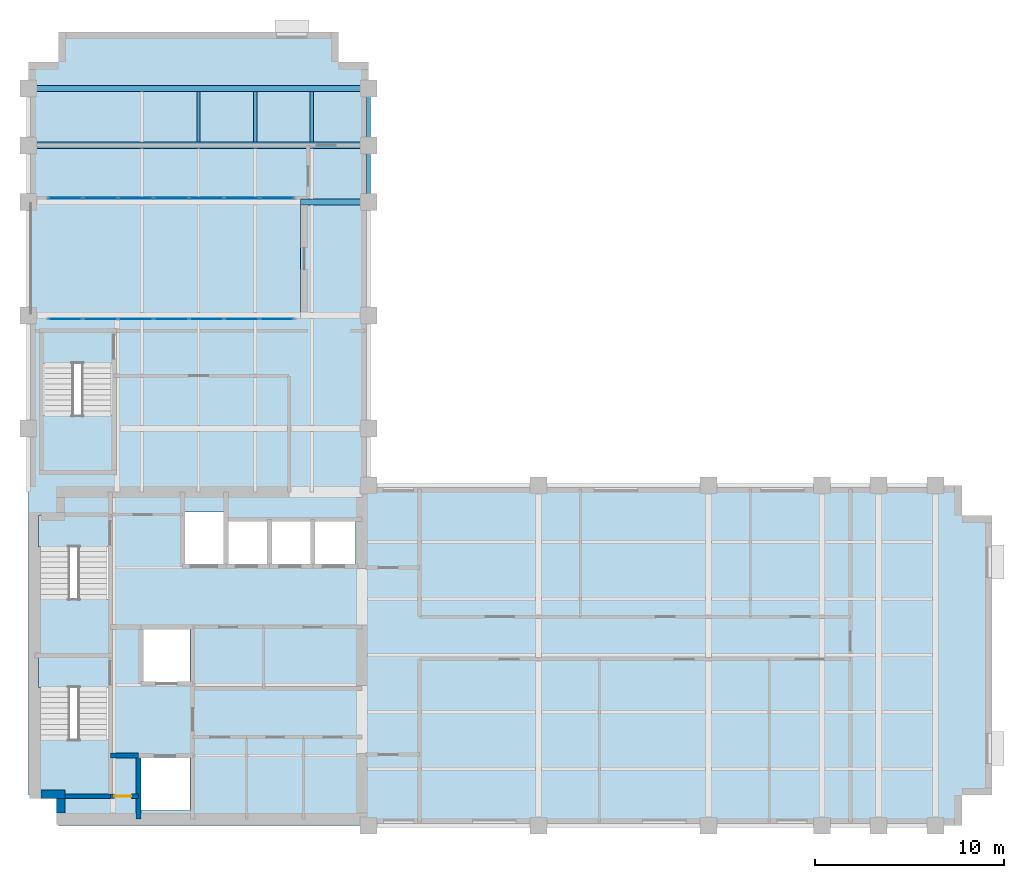
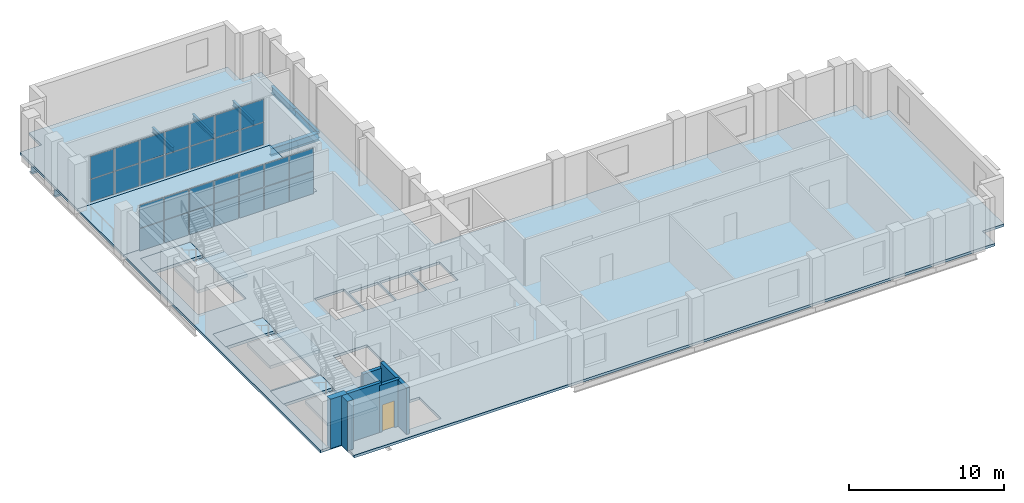
# One storey, part 7 of 11: 28 plates, 8 beams, 8 slabs, 6 walls, 1 door, 1 opening, 5 elements without a shape of their own.
"""IFC4 building model written with IfcOpenShell, lengths in metres."""

import ifcopenshell
import ifcopenshell.guid

model = None  # the IFC model being written
_history = None  # IfcOwnerHistory: only IFC2X3 demands one
_inside = {}  # id of a spatial element -> (the spatial element, [elements in it])
_under = {}  # id of a project, library or spatial element -> (it, [spatial elements below it])
_declared = {}  # id of a project -> (the project, [libraries it declares])
_typed = {}  # id of a type object -> (the type object, [elements of that type])
_made_of = {}  # id of a material, layer set ... -> (it, [elements and type objects made of it])


def new_model(schema):
    """Start an empty IFC model of exactly this schema.

    Asked for "IFC4X3", IfcOpenShell would pick the latest addendum, in which some entities
    have other attributes; the version numbers below select the first issue.
    IFC2X3 requires an IfcOwnerHistory on every rooted entity: one is made here for all.
    """
    global model, _history
    if schema == "IFC4X3":
        model = ifcopenshell.file(schema_version=(4, 3, 0, 0))
    else:
        model = ifcopenshell.file(schema=schema)
    _inside.clear()
    _under.clear()
    _declared.clear()
    _typed.clear()
    _made_of.clear()
    _history = None
    if model.schema == "IFC2X3":
        org = make("IfcOrganization", Name="unknown")
        user = make(
            "IfcPersonAndOrganization",
            ThePerson=make("IfcPerson", FamilyName="unknown"),
            TheOrganization=org,
        )
        app = make(
            "IfcApplication",
            ApplicationDeveloper=org,
            Version="unknown",
            ApplicationFullName="unknown",
            ApplicationIdentifier="unknown",
        )
        _history = make(
            "IfcOwnerHistory",
            OwningUser=user,
            OwningApplication=app,
            ChangeAction="ADDED",
            CreationDate=0,
        )
    return model


def make(cls, **values):
    """One entity of the class cls with the attributes given. An attribute that is None is left unset."""
    return model.create_entity(
        cls, **{name: value for name, value in values.items() if value is not None}
    )


def rooted(cls, **values):
    """An entity with a GlobalId (a new one), such as an element, a storey or a relation."""
    return make(cls, GlobalId=ifcopenshell.guid.new(), OwnerHistory=_history, **values)


def si_unit(unit_type, name, prefix=None):
    """IfcSIUnit, for example si_unit("LENGTHUNIT", "METRE", prefix="MILLI")."""
    return make("IfcSIUnit", UnitType=unit_type, Prefix=prefix, Name=name)


def assignment(units):
    """IfcUnitAssignment: the units of a project."""
    return None if units is None else make("IfcUnitAssignment", Units=units)


def point(xyz):
    """IfcCartesianPoint."""
    return None if xyz is None else make("IfcCartesianPoint", Coordinates=xyz)


def direction(xyz):
    """IfcDirection."""
    return None if xyz is None else make("IfcDirection", DirectionRatios=xyz)


def frame(location, z_axis=None, x_axis=None):
    """IfcAxis2Placement3D, a coordinate frame: its origin and axes. An axis left out is left unset."""
    return make(
        "IfcAxis2Placement3D",
        Location=point(location),
        Axis=direction(z_axis),
        RefDirection=direction(x_axis),
    )


def frame_2d(location, x_axis=None):
    """IfcAxis2Placement2D, a coordinate frame in the plane: its origin and x axis."""
    return make(
        "IfcAxis2Placement2D", Location=point(location), RefDirection=direction(x_axis)
    )


def origin():
    """The frame at (0, 0, 0) with its axes left unset."""
    return frame((0.0, 0.0, 0.0))


def origin_2d():
    """The frame at (0, 0) in the plane with its x axis left unset."""
    return frame_2d((0.0, 0.0))


def place(relative_to, where):
    """IfcLocalPlacement: puts the frame where relative to a parent placement (None: the world)."""
    return make(
        "IfcLocalPlacement", PlacementRelTo=relative_to, RelativePlacement=where
    )


def context(
    kind, dimensions, precision=None, world=None, true_north=None, identifier=None
):
    """IfcGeometricRepresentationContext, for example the 3D "Model" context."""
    return make(
        "IfcGeometricRepresentationContext",
        ContextIdentifier=identifier,
        ContextType=kind,
        CoordinateSpaceDimension=dimensions,
        Precision=precision,
        WorldCoordinateSystem=world,
        TrueNorth=true_north,
    )


def subcontext(parent, identifier, kind, view, scale=None):
    """IfcGeometricRepresentationSubContext, for example "Body" below "Model"."""
    return make(
        "IfcGeometricRepresentationSubContext",
        ContextIdentifier=identifier,
        ContextType=kind,
        ParentContext=parent,
        TargetScale=scale,
        TargetView=view,
    )


def project(units=None, contexts=None):
    """IfcProject with its units and contexts."""
    return rooted(
        "IfcProject",
        Name="project",
        RepresentationContexts=contexts,
        UnitsInContext=assignment(units),
    )


def spatial(cls, under=None, at=None, **own):
    """A site, building, storey or space (cls), placed at a placement, below another one or the project."""
    s = rooted(cls, ObjectPlacement=at, **own)
    if under is not None:
        _under.setdefault(under.id(), (under, []))[1].append(s)
    return s


def polyline(points):
    """IfcPolyline through the points."""
    return make("IfcPolyline", Points=[point(p) for p in points])


def profile(cls, at=None, kind="AREA", **sizes):
    """A parametric profile (cls). Its sizes go by their IFC names, for example OverallWidth=200.0."""
    return make(cls, ProfileType=kind, Position=at, **sizes)


def rectangle(**sizes):
    """IfcRectangleProfileDef."""
    return profile("IfcRectangleProfileDef", **sizes)


def i_section(**sizes):
    """IfcIShapeProfileDef."""
    return profile("IfcIShapeProfileDef", **sizes)


def outline(outer, holes=None, kind="AREA"):
    """IfcArbitraryClosedProfileDef: a profile drawn as a closed curve; with holes, ...WithVoids."""
    if holes is None:
        return make("IfcArbitraryClosedProfileDef", ProfileType=kind, OuterCurve=outer)
    return make(
        "IfcArbitraryProfileDefWithVoids",
        ProfileType=kind,
        OuterCurve=outer,
        InnerCurves=holes,
    )


def extrude(swept, where, along, depth):
    """IfcExtrudedAreaSolid: the profile swept, set in the frame where, extruded along a direction by depth."""
    return make(
        "IfcExtrudedAreaSolid",
        SweptArea=swept,
        Position=where,
        ExtrudedDirection=direction(along),
        Depth=depth,
    )


def shape(context_of_items, identifier, shape_type, items):
    """IfcShapeRepresentation: the items that make up one representation, for example the "Body"."""
    return make(
        "IfcShapeRepresentation",
        ContextOfItems=context_of_items,
        RepresentationIdentifier=identifier,
        RepresentationType=shape_type,
        Items=items,
    )


def material(Name=None, Category=None):
    """IfcMaterial."""
    return make("IfcMaterial", Name=Name, Category=Category)


def layer(
    of_material, thickness, ventilated=None, Name=None, Category=None, Priority=None
):
    """IfcMaterialLayer: one layer of a wall or slab, of a material (None: an air gap)."""
    return make(
        "IfcMaterialLayer",
        Material=of_material,
        LayerThickness=thickness,
        IsVentilated=ventilated,
        Name=Name,
        Category=Category,
        Priority=Priority,
    )


def layer_set(layers, Name=None):
    """IfcMaterialLayerSet."""
    return make("IfcMaterialLayerSet", MaterialLayers=layers, LayerSetName=Name)


def material_profile(
    of_material, cross_section, Name=None, Category=None, Priority=None
):
    """IfcMaterialProfile: a cross section and its material."""
    return make(
        "IfcMaterialProfile",
        Name=Name,
        Material=of_material,
        Profile=cross_section,
        Priority=Priority,
        Category=Category,
    )


def profile_set(profiles, Name=None, composite=None):
    """IfcMaterialProfileSet."""
    return make(
        "IfcMaterialProfileSet",
        Name=Name,
        MaterialProfiles=profiles,
        CompositeProfile=composite,
    )


def made_of(thing, what):
    """Note that an element or type object is made of a material, layer set ...; save() writes the relation."""
    if what is not None:
        _made_of.setdefault(what.id(), (what, []))[1].append(thing)
    return thing


def type_object(cls, material=None, **own):
    """A type object (cls), such as IfcWallType, which elements share."""
    return made_of(rooted(cls, **own), material)


def element(
    cls,
    number,
    at=None,
    inside=None,
    cuts=None,
    type_object=None,
    material=None,
    context=None,
    identifier="Body",
    shape_type=None,
    held_by="IfcProductDefinitionShape",
    body=None,
    shapes=None,
    **own,
):
    """One element of the class cls, such as IfcWall. Its Tag is "e" and its number.

    at: its placement. inside: the storey or other place that contains it. cuts: it is an
    opening in that element (IfcRelVoidsElement). A single representation is given by context,
    identifier, shape_type and body (its items); several are given by shapes. held_by: the class
    of the entity that holds the representations. save() writes the other relations.
    """
    e = rooted(cls, Tag="e%d" % number, ObjectPlacement=at, **own)
    if body is not None:
        shapes = [shape(context, identifier, shape_type, body)]
    if shapes is not None:
        e.Representation = make(held_by, Representations=shapes)
    if inside is not None:
        _inside.setdefault(inside.id(), (inside, []))[1].append(e)
    if cuts is not None:
        rooted(
            "IfcRelVoidsElement", RelatingBuildingElement=cuts, RelatedOpeningElement=e
        )
    if type_object is not None:
        _typed.setdefault(type_object.id(), (type_object, []))[1].append(e)
    return made_of(e, material)


def fill(opening, filler):
    """IfcRelFillsElement: the door or window that sits in an opening."""
    return rooted(
        "IfcRelFillsElement",
        RelatingOpeningElement=opening,
        RelatedBuildingElement=filler,
    )


def aggregate(whole, parts):
    """IfcRelAggregates: a whole, such as a stair, and the parts it consists of."""
    return rooted("IfcRelAggregates", RelatingObject=whole, RelatedObjects=parts)


def save(model, path):
    """Write the relations noted so far, then the file.

    IfcRelAggregates (storeys below a building ...), IfcRelContainedInSpatialStructure (elements
    in a storey), IfcRelDefinesByType, IfcRelAssociatesMaterial and IfcRelDeclares: one each for
    every whole, place, type object, material and project.
    """
    for whole, parts in _under.values():
        aggregate(whole, parts)
    for where, things in _inside.values():
        rooted(
            "IfcRelContainedInSpatialStructure",
            RelatedElements=things,
            RelatingStructure=where,
        )
    for kind, things in _typed.values():
        rooted("IfcRelDefinesByType", RelatedObjects=things, RelatingType=kind)
    for what, things in _made_of.values():
        rooted("IfcRelAssociatesMaterial", RelatedObjects=things, RelatingMaterial=what)
    for by, libraries in _declared.values():
        rooted("IfcRelDeclares", RelatingContext=by, RelatedDefinitions=libraries)
    model.write(path)


model = new_model("IFC4")

# Units and contexts
model_context = context("Model", 3, precision=1e-05, world=origin(), true_north=direction((0.0, 1.0)))
body_context = subcontext(model_context, "Body", "Model", "MODEL_VIEW")
ifc_project = project(units=[si_unit("LENGTHUNIT", "METRE"), si_unit("AREAUNIT", "SQUARE_METRE"), si_unit("VOLUMEUNIT", "CUBIC_METRE"), si_unit("PLANEANGLEUNIT", "RADIAN"), si_unit("MASSUNIT", "GRAM", prefix="KILO")], contexts=[model_context])

# Site, building, storey
site_placement = place(None, origin())
site = spatial("IfcSite", under=ifc_project, at=site_placement, CompositionType="ELEMENT")
building_placement = place(site_placement, origin())
building = spatial("IfcBuilding", under=site, at=building_placement, Name="Mawjdan Bourse Tower", CompositionType="ELEMENT")
storey_placement = place(building_placement, frame((0.0, 0.0, 191.699951171875)))
storey = spatial("IfcBuildingStorey", under=building, at=storey_placement, Name="L46", CompositionType="ELEMENT", Elevation=191.699951171875)

# Beams
ifc_material_1 = material(Name="Structural Steel S355", Category="steel")
ifc_material_profile_1 = material_profile(ifc_material_1, i_section(OverallWidth=0.324951171875, OverallDepth=0.616943359375, WebThickness=0.013916015625, FlangeThickness=0.021484375, FilletRadius=0.017333984375, at=origin_2d()), Name="W24X117")
ifc_profile_set_1 = profile_set([ifc_material_profile_1], Name="Structural Steel S355")
beam_type_1 = type_object("IfcBeamType", Name="GRD-W24X117", PredefinedType="BEAM", material=ifc_profile_set_1)
beam_placement = place(storey_placement, frame((20.39990234375, 36.0, -0.508544921875), z_axis=(1.0, 0.0, 0.0), x_axis=(0.0, 1.0, 0.0)))
element("IfcBeam", 1, at=beam_placement, inside=storey, type_object=beam_type_1, Name="L46 North Wing Clear-Span Girder 051", PredefinedType="BEAM", context=body_context, shape_type="SweptSolid", body=[
    extrude(i_section(OverallWidth=0.324951171875, OverallDepth=0.616943359375, WebThickness=0.013916015625, FlangeThickness=0.021484375, FilletRadius=0.017333984375, at=origin_2d()), origin(), (0.0, 0.0, 1.0), 3.60009765625),
])
for number, where, z_axis, x_axis, name in (
    (2, (6.0, 39.0, -0.508544921875), (1.0, 0.0, 0.0), (0.0, 1.0, 0.0), "L46 North Wing Clear-Span Girder 052"),
    (3, (6.0, 42.0, -0.508544921875), (1.0, 0.0, 0.0), (0.0, 1.0, 0.0), "L46 North Wing Clear-Span Girder 053"),
):
    element("IfcBeam", number, at=place(storey_placement, frame(where, z_axis=z_axis, x_axis=x_axis)), inside=storey, type_object=beam_type_1, Name=name, PredefinedType="BEAM", context=body_context, shape_type="SweptSolid", body=[
        extrude(i_section(OverallWidth=0.324951171875, OverallDepth=0.616943359375, WebThickness=0.013916015625, FlangeThickness=0.021484375, FilletRadius=0.017333984375, at=origin_2d()), origin(), (0.0, 0.0, 1.0), 18.0),
    ])
ifc_material_profile_2 = material_profile(ifc_material_1, i_section(OverallWidth=0.177978515625, OverallDepth=0.406982421875, WebThickness=0.0078125, FlangeThickness=0.0126953125, FilletRadius=0.01025390625, at=origin_2d()), Name="W16X40")
ifc_profile_set_2 = profile_set([ifc_material_profile_2], Name="Structural Steel S355")
beam_type_2 = type_object("IfcBeamType", Name="JST-W16X40", PredefinedType="JOIST", material=ifc_profile_set_2)
for number, where, z_axis, x_axis, name in (
    (4, (15.0, 39.160400390625, -0.403564453125), (0.0, 1.0, 0.0), (-1.0, 0.0, 0.0), "L46 North Wing Composite Joist 073"),
    (5, (18.0, 39.160400390625, -0.403564453125), (0.0, 1.0, 0.0), (-1.0, 0.0, 0.0), "L46 North Wing Composite Joist 078"),
    (6, (21.0, 39.160400390625, -0.403564453125), (0.0, 1.0, 0.0), (-1.0, 0.0, 0.0), "L46 North Wing Composite Joist 083"),
):
    element("IfcBeam", number, at=place(storey_placement, frame(where, z_axis=z_axis, x_axis=x_axis)), inside=storey, type_object=beam_type_2, Name=name, PredefinedType="JOIST", context=body_context, shape_type="SweptSolid", body=[
        extrude(i_section(OverallWidth=0.177978515625, OverallDepth=0.406982421875, WebThickness=0.0078125, FlangeThickness=0.0126953125, FilletRadius=0.01025390625, at=origin_2d()), origin(), (0.0, 0.0, 1.0), 2.67919921875),
    ])
ifc_material_profile_3 = material_profile(ifc_material_1, i_section(OverallWidth=0.2119140625, OverallDepth=0.5439453125, WebThickness=0.01318359375, FlangeThickness=0.021240234375, FilletRadius=0.01708984375, at=origin_2d()), Name="W21X83")
ifc_profile_set_3 = profile_set([ifc_material_profile_3], Name="Structural Steel S355")
beam_type_3 = type_object("IfcBeamType", Name="SPN-W21X83", PredefinedType="SPANDREL", material=ifc_profile_set_3)
for number, where, z_axis, x_axis, name in (
    (7, (24.0, 36.0, -0.471923828125), (0.0, 1.0, 0.0), (-1.0, 0.0, 0.0), "L46 North Wing Spandrel 062"),
    (8, (24.0, 39.0, -0.471923828125), (0.0, 1.0, 0.0), (-1.0, 0.0, 0.0), "L46 North Wing Spandrel 063"),
):
    element("IfcBeam", number, at=place(storey_placement, frame(where, z_axis=z_axis, x_axis=x_axis)), inside=storey, type_object=beam_type_3, Name=name, PredefinedType="SPANDREL", context=body_context, shape_type="SweptSolid", body=[
        extrude(i_section(OverallWidth=0.2119140625, OverallDepth=0.5439453125, WebThickness=0.01318359375, FlangeThickness=0.021240234375, FilletRadius=0.01708984375, at=origin_2d()), origin(), (0.0, 0.0, 1.0), 3.0),
    ])

# Curtain wall, plates
ifc_material_2 = material(Name="Thermally Broken Aluminium and Solar Glass", Category="aluminium")
ifc_layer_1 = layer(ifc_material_2, 0.219970703125)
ifc_layer_set_1 = layer_set([ifc_layer_1], Name="Thermally Broken Aluminium and Solar Glass")
curtain_wall_type = type_object("IfcCurtainWallType", Name="CW-POR", PredefinedType="USERDEFINED", material=ifc_layer_set_1)
curtain_wall_1_placement = place(storey_placement, origin())
curtain_wall_1 = element("IfcCurtainWall", 9, at=curtain_wall_1_placement, inside=storey, type_object=curtain_wall_type, Name="L46 North Void Portal Glazed Cheek 14", ObjectType="VOID PORTAL CURTAIN WALL", PredefinedType="USERDEFINED")
ifc_material_3 = material(Name="Wind-Rated Portal Clear Glass", Category="glass")
ifc_layer_2 = layer(ifc_material_3, 0.0400390625)
ifc_layer_set_2 = layer_set([ifc_layer_2], Name="Wind-Rated Portal Clear Glass")
plate_type = type_object("IfcPlateType", Name="PNL-CW-POR", PredefinedType="CURTAIN_PANEL", material=ifc_layer_set_2)
plate_1_placement = place(storey_placement, frame((7.953125, 36.18994140625, 0.054931640625), z_axis=(0.0, 0.0, 1.0), x_axis=(1.0, 0.0, 0.0)))
plate_1 = element("IfcPlate", 10, at=plate_1_placement, type_object=plate_type, Name="CW-POR-L46-POR-N14 panel 1.1", PredefinedType="CURTAIN_PANEL", context=body_context, shape_type="SweptSolid", body=[
    extrude(rectangle(XDim=1.766357421875, YDim=0.0400390625, at=origin_2d()), origin(), (0.0, 0.0, 1.0), 1.767578125),
])
plate_2_placement = place(storey_placement, frame((7.953125, 36.18994140625, 1.87744140625), z_axis=(0.0, 0.0, 1.0), x_axis=(1.0, 0.0, 0.0)))
plate_2 = element("IfcPlate", 11, at=plate_2_placement, type_object=plate_type, Name="CW-POR-L46-POR-N14 panel 1.2", PredefinedType="CURTAIN_PANEL", context=body_context, shape_type="SweptSolid", body=[
    extrude(rectangle(XDim=1.766357421875, YDim=0.0400390625, at=origin_2d()), origin(), (0.0, 0.0, 1.0), 1.767578125),
])
plate_3_placement = place(storey_placement, frame((9.80712890625, 36.18994140625, 0.054931640625), z_axis=(0.0, 0.0, 1.0), x_axis=(1.0, 0.0, 0.0)))
plate_3 = element("IfcPlate", 12, at=plate_3_placement, type_object=plate_type, Name="CW-POR-L46-POR-N14 panel 2.1", PredefinedType="CURTAIN_PANEL", context=body_context, shape_type="SweptSolid", body=[
    extrude(rectangle(XDim=1.801513671875, YDim=0.0400390625, at=origin_2d()), origin(), (0.0, 0.0, 1.0), 1.767578125),
])
plate_4_placement = place(storey_placement, frame((9.80712890625, 36.18994140625, 1.87744140625), z_axis=(0.0, 0.0, 1.0), x_axis=(1.0, 0.0, 0.0)))
plate_4 = element("IfcPlate", 13, at=plate_4_placement, type_object=plate_type, Name="CW-POR-L46-POR-N14 panel 2.2", PredefinedType="CURTAIN_PANEL", context=body_context, shape_type="SweptSolid", body=[
    extrude(rectangle(XDim=1.801513671875, YDim=0.0400390625, at=origin_2d()), origin(), (0.0, 0.0, 1.0), 1.767578125),
])
plate_5_placement = place(storey_placement, frame((11.678466796875, 36.18994140625, 0.054931640625), z_axis=(0.0, 0.0, 1.0), x_axis=(1.0, 0.0, 0.0)))
plate_5 = element("IfcPlate", 14, at=plate_5_placement, type_object=plate_type, Name="CW-POR-L46-POR-N14 panel 3.1", PredefinedType="CURTAIN_PANEL", context=body_context, shape_type="SweptSolid", body=[
    extrude(rectangle(XDim=1.801513671875, YDim=0.0400390625, at=origin_2d()), origin(), (0.0, 0.0, 1.0), 1.767578125),
])
plate_6_placement = place(storey_placement, frame((11.678466796875, 36.18994140625, 1.87744140625), z_axis=(0.0, 0.0, 1.0), x_axis=(1.0, 0.0, 0.0)))
plate_6 = element("IfcPlate", 15, at=plate_6_placement, type_object=plate_type, Name="CW-POR-L46-POR-N14 panel 3.2", PredefinedType="CURTAIN_PANEL", context=body_context, shape_type="SweptSolid", body=[
    extrude(rectangle(XDim=1.801513671875, YDim=0.0400390625, at=origin_2d()), origin(), (0.0, 0.0, 1.0), 1.767578125),
])
plate_7_placement = place(storey_placement, frame((13.550048828125, 36.18994140625, 0.054931640625), z_axis=(0.0, 0.0, 1.0), x_axis=(1.0, 0.0, 0.0)))
plate_7 = element("IfcPlate", 16, at=plate_7_placement, type_object=plate_type, Name="CW-POR-L46-POR-N14 panel 4.1", PredefinedType="CURTAIN_PANEL", context=body_context, shape_type="SweptSolid", body=[
    extrude(rectangle(XDim=1.801513671875, YDim=0.0400390625, at=origin_2d()), origin(), (0.0, 0.0, 1.0), 1.767578125),
])
plate_8_placement = place(storey_placement, frame((13.550048828125, 36.18994140625, 1.87744140625), z_axis=(0.0, 0.0, 1.0), x_axis=(1.0, 0.0, 0.0)))
plate_8 = element("IfcPlate", 17, at=plate_8_placement, type_object=plate_type, Name="CW-POR-L46-POR-N14 panel 4.2", PredefinedType="CURTAIN_PANEL", context=body_context, shape_type="SweptSolid", body=[
    extrude(rectangle(XDim=1.801513671875, YDim=0.0400390625, at=origin_2d()), origin(), (0.0, 0.0, 1.0), 1.767578125),
])
plate_9_placement = place(storey_placement, frame((15.42138671875, 36.18994140625, 0.054931640625), z_axis=(0.0, 0.0, 1.0), x_axis=(1.0, 0.0, 0.0)))
plate_9 = element("IfcPlate", 18, at=plate_9_placement, type_object=plate_type, Name="CW-POR-L46-POR-N14 panel 5.1", PredefinedType="CURTAIN_PANEL", context=body_context, shape_type="SweptSolid", body=[
    extrude(rectangle(XDim=1.801513671875, YDim=0.0400390625, at=origin_2d()), origin(), (0.0, 0.0, 1.0), 1.767578125),
])
plate_10_placement = place(storey_placement, frame((15.42138671875, 36.18994140625, 1.87744140625), z_axis=(0.0, 0.0, 1.0), x_axis=(1.0, 0.0, 0.0)))
plate_10 = element("IfcPlate", 19, at=plate_10_placement, type_object=plate_type, Name="CW-POR-L46-POR-N14 panel 5.2", PredefinedType="CURTAIN_PANEL", context=body_context, shape_type="SweptSolid", body=[
    extrude(rectangle(XDim=1.801513671875, YDim=0.0400390625, at=origin_2d()), origin(), (0.0, 0.0, 1.0), 1.767578125),
])
plate_11_placement = place(storey_placement, frame((17.29296875, 36.18994140625, 0.054931640625), z_axis=(0.0, 0.0, 1.0), x_axis=(1.0, 0.0, 0.0)))
plate_11 = element("IfcPlate", 20, at=plate_11_placement, type_object=plate_type, Name="CW-POR-L46-POR-N14 panel 6.1", PredefinedType="CURTAIN_PANEL", context=body_context, shape_type="SweptSolid", body=[
    extrude(rectangle(XDim=1.801513671875, YDim=0.0400390625, at=origin_2d()), origin(), (0.0, 0.0, 1.0), 1.767578125),
])
plate_12_placement = place(storey_placement, frame((17.29296875, 36.18994140625, 1.87744140625), z_axis=(0.0, 0.0, 1.0), x_axis=(1.0, 0.0, 0.0)))
plate_12 = element("IfcPlate", 21, at=plate_12_placement, type_object=plate_type, Name="CW-POR-L46-POR-N14 panel 6.2", PredefinedType="CURTAIN_PANEL", context=body_context, shape_type="SweptSolid", body=[
    extrude(rectangle(XDim=1.801513671875, YDim=0.0400390625, at=origin_2d()), origin(), (0.0, 0.0, 1.0), 1.767578125),
])
plate_13_placement = place(storey_placement, frame((19.146728515625, 36.18994140625, 0.054931640625), z_axis=(0.0, 0.0, 1.0), x_axis=(1.0, 0.0, 0.0)))
plate_13 = element("IfcPlate", 22, at=plate_13_placement, type_object=plate_type, Name="CW-POR-L46-POR-N14 panel 7.1", PredefinedType="CURTAIN_PANEL", context=body_context, shape_type="SweptSolid", body=[
    extrude(rectangle(XDim=1.766357421875, YDim=0.0400390625, at=origin_2d()), origin(), (0.0, 0.0, 1.0), 1.767578125),
])
plate_14_placement = place(storey_placement, frame((19.146728515625, 36.18994140625, 1.87744140625), z_axis=(0.0, 0.0, 1.0), x_axis=(1.0, 0.0, 0.0)))
plate_14 = element("IfcPlate", 23, at=plate_14_placement, type_object=plate_type, Name="CW-POR-L46-POR-N14 panel 7.2", PredefinedType="CURTAIN_PANEL", context=body_context, shape_type="SweptSolid", body=[
    extrude(rectangle(XDim=1.766357421875, YDim=0.0400390625, at=origin_2d()), origin(), (0.0, 0.0, 1.0), 1.767578125),
])
aggregate(curtain_wall_1, [plate_1, plate_2, plate_3, plate_4, plate_5, plate_6, plate_7, plate_8, plate_9, plate_10, plate_11, plate_12, plate_13, plate_14])

curtain_wall_2_placement = place(storey_placement, origin())
curtain_wall_2 = element("IfcCurtainWall", 24, at=curtain_wall_2_placement, inside=storey, type_object=curtain_wall_type, Name="L46 North Void Portal Glazed Cheek 16", ObjectType="VOID PORTAL CURTAIN WALL", PredefinedType="USERDEFINED")
plate_15_placement = place(storey_placement, frame((19.146728515625, 29.81005859375, 0.054931640625), z_axis=(0.0, 0.0, 1.0), x_axis=(-1.0, 0.0, 0.0)))
plate_15 = element("IfcPlate", 25, at=plate_15_placement, type_object=plate_type, Name="CW-POR-L46-POR-N16 panel 1.1", PredefinedType="CURTAIN_PANEL", context=body_context, shape_type="SweptSolid", body=[
    extrude(rectangle(XDim=1.766357421875, YDim=0.0400390625, at=origin_2d()), origin(), (0.0, 0.0, 1.0), 1.767578125),
])
plate_16_placement = place(storey_placement, frame((19.146728515625, 29.81005859375, 1.87744140625), z_axis=(0.0, 0.0, 1.0), x_axis=(-1.0, 0.0, 0.0)))
plate_16 = element("IfcPlate", 26, at=plate_16_placement, type_object=plate_type, Name="CW-POR-L46-POR-N16 panel 1.2", PredefinedType="CURTAIN_PANEL", context=body_context, shape_type="SweptSolid", body=[
    extrude(rectangle(XDim=1.766357421875, YDim=0.0400390625, at=origin_2d()), origin(), (0.0, 0.0, 1.0), 1.767578125),
])
plate_17_placement = place(storey_placement, frame((17.29296875, 29.81005859375, 0.054931640625), z_axis=(0.0, 0.0, 1.0), x_axis=(-1.0, 0.0, 0.0)))
plate_17 = element("IfcPlate", 27, at=plate_17_placement, type_object=plate_type, Name="CW-POR-L46-POR-N16 panel 2.1", PredefinedType="CURTAIN_PANEL", context=body_context, shape_type="SweptSolid", body=[
    extrude(rectangle(XDim=1.801513671875, YDim=0.0400390625, at=origin_2d()), origin(), (0.0, 0.0, 1.0), 1.767578125),
])
plate_18_placement = place(storey_placement, frame((17.29296875, 29.81005859375, 1.87744140625), z_axis=(0.0, 0.0, 1.0), x_axis=(-1.0, 0.0, 0.0)))
plate_18 = element("IfcPlate", 28, at=plate_18_placement, type_object=plate_type, Name="CW-POR-L46-POR-N16 panel 2.2", PredefinedType="CURTAIN_PANEL", context=body_context, shape_type="SweptSolid", body=[
    extrude(rectangle(XDim=1.801513671875, YDim=0.0400390625, at=origin_2d()), origin(), (0.0, 0.0, 1.0), 1.767578125),
])
plate_19_placement = place(storey_placement, frame((15.42138671875, 29.81005859375, 0.054931640625), z_axis=(0.0, 0.0, 1.0), x_axis=(-1.0, 0.0, 0.0)))
plate_19 = element("IfcPlate", 29, at=plate_19_placement, type_object=plate_type, Name="CW-POR-L46-POR-N16 panel 3.1", PredefinedType="CURTAIN_PANEL", context=body_context, shape_type="SweptSolid", body=[
    extrude(rectangle(XDim=1.801513671875, YDim=0.0400390625, at=origin_2d()), origin(), (0.0, 0.0, 1.0), 1.767578125),
])
plate_20_placement = place(storey_placement, frame((15.42138671875, 29.81005859375, 1.87744140625), z_axis=(0.0, 0.0, 1.0), x_axis=(-1.0, 0.0, 0.0)))
plate_20 = element("IfcPlate", 30, at=plate_20_placement, type_object=plate_type, Name="CW-POR-L46-POR-N16 panel 3.2", PredefinedType="CURTAIN_PANEL", context=body_context, shape_type="SweptSolid", body=[
    extrude(rectangle(XDim=1.801513671875, YDim=0.0400390625, at=origin_2d()), origin(), (0.0, 0.0, 1.0), 1.767578125),
])
plate_21_placement = place(storey_placement, frame((13.550048828125, 29.81005859375, 0.054931640625), z_axis=(0.0, 0.0, 1.0), x_axis=(-1.0, 0.0, 0.0)))
plate_21 = element("IfcPlate", 31, at=plate_21_placement, type_object=plate_type, Name="CW-POR-L46-POR-N16 panel 4.1", PredefinedType="CURTAIN_PANEL", context=body_context, shape_type="SweptSolid", body=[
    extrude(rectangle(XDim=1.801513671875, YDim=0.0400390625, at=origin_2d()), origin(), (0.0, 0.0, 1.0), 1.767578125),
])
plate_22_placement = place(storey_placement, frame((13.550048828125, 29.81005859375, 1.87744140625), z_axis=(0.0, 0.0, 1.0), x_axis=(-1.0, 0.0, 0.0)))
plate_22 = element("IfcPlate", 32, at=plate_22_placement, type_object=plate_type, Name="CW-POR-L46-POR-N16 panel 4.2", PredefinedType="CURTAIN_PANEL", context=body_context, shape_type="SweptSolid", body=[
    extrude(rectangle(XDim=1.801513671875, YDim=0.0400390625, at=origin_2d()), origin(), (0.0, 0.0, 1.0), 1.767578125),
])
plate_23_placement = place(storey_placement, frame((11.678466796875, 29.81005859375, 0.054931640625), z_axis=(0.0, 0.0, 1.0), x_axis=(-1.0, 0.0, 0.0)))
plate_23 = element("IfcPlate", 33, at=plate_23_placement, type_object=plate_type, Name="CW-POR-L46-POR-N16 panel 5.1", PredefinedType="CURTAIN_PANEL", context=body_context, shape_type="SweptSolid", body=[
    extrude(rectangle(XDim=1.801513671875, YDim=0.0400390625, at=origin_2d()), origin(), (0.0, 0.0, 1.0), 1.767578125),
])
plate_24_placement = place(storey_placement, frame((11.678466796875, 29.81005859375, 1.87744140625), z_axis=(0.0, 0.0, 1.0), x_axis=(-1.0, 0.0, 0.0)))
plate_24 = element("IfcPlate", 34, at=plate_24_placement, type_object=plate_type, Name="CW-POR-L46-POR-N16 panel 5.2", PredefinedType="CURTAIN_PANEL", context=body_context, shape_type="SweptSolid", body=[
    extrude(rectangle(XDim=1.801513671875, YDim=0.0400390625, at=origin_2d()), origin(), (0.0, 0.0, 1.0), 1.767578125),
])
plate_25_placement = place(storey_placement, frame((9.80712890625, 29.81005859375, 0.054931640625), z_axis=(0.0, 0.0, 1.0), x_axis=(-1.0, 0.0, 0.0)))
plate_25 = element("IfcPlate", 35, at=plate_25_placement, type_object=plate_type, Name="CW-POR-L46-POR-N16 panel 6.1", PredefinedType="CURTAIN_PANEL", context=body_context, shape_type="SweptSolid", body=[
    extrude(rectangle(XDim=1.801513671875, YDim=0.0400390625, at=origin_2d()), origin(), (0.0, 0.0, 1.0), 1.767578125),
])
plate_26_placement = place(storey_placement, frame((9.80712890625, 29.81005859375, 1.87744140625), z_axis=(0.0, 0.0, 1.0), x_axis=(-1.0, 0.0, 0.0)))
plate_26 = element("IfcPlate", 36, at=plate_26_placement, type_object=plate_type, Name="CW-POR-L46-POR-N16 panel 6.2", PredefinedType="CURTAIN_PANEL", context=body_context, shape_type="SweptSolid", body=[
    extrude(rectangle(XDim=1.801513671875, YDim=0.0400390625, at=origin_2d()), origin(), (0.0, 0.0, 1.0), 1.767578125),
])
plate_27_placement = place(storey_placement, frame((7.953125, 29.81005859375, 0.054931640625), z_axis=(0.0, 0.0, 1.0), x_axis=(-1.0, 0.0, 0.0)))
plate_27 = element("IfcPlate", 37, at=plate_27_placement, type_object=plate_type, Name="CW-POR-L46-POR-N16 panel 7.1", PredefinedType="CURTAIN_PANEL", context=body_context, shape_type="SweptSolid", body=[
    extrude(rectangle(XDim=1.766357421875, YDim=0.0400390625, at=origin_2d()), origin(), (0.0, 0.0, 1.0), 1.767578125),
])
plate_28_placement = place(storey_placement, frame((7.953125, 29.81005859375, 1.87744140625), z_axis=(0.0, 0.0, 1.0), x_axis=(-1.0, 0.0, 0.0)))
plate_28 = element("IfcPlate", 38, at=plate_28_placement, type_object=plate_type, Name="CW-POR-L46-POR-N16 panel 7.2", PredefinedType="CURTAIN_PANEL", context=body_context, shape_type="SweptSolid", body=[
    extrude(rectangle(XDim=1.766357421875, YDim=0.0400390625, at=origin_2d()), origin(), (0.0, 0.0, 1.0), 1.767578125),
])
aggregate(curtain_wall_2, [plate_15, plate_16, plate_17, plate_18, plate_19, plate_20, plate_21, plate_22, plate_23, plate_24, plate_25, plate_26, plate_27, plate_28])

# Stair, slabs
ifc_material_4 = material(Name="Concrete C50/60", Category="concrete")
stair_type = type_object("IfcStairType", Name="STR-CORE-1500", PredefinedType="HALF_TURN_STAIR", material=ifc_material_4)
stair_1_placement = place(storey_placement, origin())
stair_1 = element("IfcStair", 39, at=stair_1_placement, inside=storey, type_object=stair_type, Name="L46 Exit Stair 1 (Core South-West)", PredefinedType="HALF_TURN_STAIR")
ifc_layer_3 = layer(ifc_material_4, 0.22998046875)
ifc_layer_set_3 = layer_set([ifc_layer_3], Name="Concrete C50/60")
slab_type_1 = type_object("IfcSlabType", Name="SL-LND-230", PredefinedType="LANDING", material=ifc_layer_set_3)
slab_1_placement = place(storey_placement, frame((0.0, 0.0, -0.22998046875)))
slab_1 = element("IfcSlab", 40, at=slab_1_placement, type_object=slab_type_1, Name="ST1-L46 landing 1", PredefinedType="LANDING", context=body_context, shape_type="SweptSolid", body=[
    extrude(outline(polyline([(6.5400390625, 10.31005859375), (10.260009765625, 10.31005859375), (10.260009765625, 11.969970703125), (6.5400390625, 11.969970703125), (6.5400390625, 10.31005859375)])), origin(), (0.0, 0.0, 1.0), 0.22998046875),
])
slab_2_placement = place(storey_placement, frame((0.0, 0.0, 1.719970703125)))
slab_2 = element("IfcSlab", 41, at=slab_2_placement, type_object=slab_type_1, Name="ST1-L46 landing 2", PredefinedType="LANDING", context=body_context, shape_type="SweptSolid", body=[
    extrude(outline(polyline([(6.5400390625, 4.590087890625), (10.260009765625, 4.590087890625), (10.260009765625, 7.5400390625), (6.5400390625, 7.5400390625), (6.5400390625, 4.590087890625)])), origin(), (0.0, 0.0, 1.0), 0.22998046875),
])
aggregate(stair_1, [slab_1, slab_2])

stair_2_placement = place(storey_placement, origin())
stair_2 = element("IfcStair", 42, at=stair_2_placement, inside=storey, type_object=stair_type, Name="L46 Exit Stair 2 (Core North-West)", PredefinedType="HALF_TURN_STAIR")
slab_3_placement = place(storey_placement, frame((0.0, 0.0, -0.22998046875)))
slab_3 = element("IfcSlab", 43, at=slab_3_placement, type_object=slab_type_1, Name="ST2-L46 landing 1", PredefinedType="LANDING", context=body_context, shape_type="SweptSolid", body=[
    extrude(outline(polyline([(6.5400390625, 17.75), (10.260009765625, 17.75), (10.260009765625, 19.409912109375), (6.5400390625, 19.409912109375), (6.5400390625, 17.75)])), origin(), (0.0, 0.0, 1.0), 0.22998046875),
])
slab_4_placement = place(storey_placement, frame((0.0, 0.0, 1.719970703125)))
slab_4 = element("IfcSlab", 44, at=slab_4_placement, type_object=slab_type_1, Name="ST2-L46 landing 2", PredefinedType="LANDING", context=body_context, shape_type="SweptSolid", body=[
    extrude(outline(polyline([(6.5400390625, 12.030029296875), (10.260009765625, 12.030029296875), (10.260009765625, 14.97998046875), (6.5400390625, 14.97998046875), (6.5400390625, 12.030029296875)])), origin(), (0.0, 0.0, 1.0), 0.22998046875),
])
aggregate(stair_2, [slab_3, slab_4])

stair_3_placement = place(storey_placement, origin())
stair_3 = element("IfcStair", 45, at=stair_3_placement, inside=storey, type_object=stair_type, Name="L46 Exit Stair 3 (North Wing)", PredefinedType="HALF_TURN_STAIR")
slab_5_placement = place(storey_placement, frame((0.0, 0.0, -0.22998046875)))
slab_5 = element("IfcSlab", 46, at=slab_5_placement, type_object=slab_type_1, Name="ST3-L46 landing 1", PredefinedType="LANDING", context=body_context, shape_type="SweptSolid", body=[
    extrude(outline(polyline([(6.739990234375, 27.4599609375), (10.4599609375, 27.4599609375), (10.4599609375, 29.1201171875), (6.739990234375, 29.1201171875), (6.739990234375, 27.4599609375)])), origin(), (0.0, 0.0, 1.0), 0.22998046875),
])
slab_6_placement = place(storey_placement, frame((0.0, 0.0, 1.719970703125)))
slab_6 = element("IfcSlab", 47, at=slab_6_placement, type_object=slab_type_1, Name="ST3-L46 landing 2", PredefinedType="LANDING", context=body_context, shape_type="SweptSolid", body=[
    extrude(outline(polyline([(6.739990234375, 21.739990234375), (10.4599609375, 21.739990234375), (10.4599609375, 24.68994140625), (6.739990234375, 24.68994140625), (6.739990234375, 21.739990234375)])), origin(), (0.0, 0.0, 1.0), 0.22998046875),
])
aggregate(stair_3, [slab_5, slab_6])

# Slabs
ifc_layer_4 = layer(ifc_material_4, 0.199951171875)
ifc_layer_set_4 = layer_set([ifc_layer_4], Name="Concrete C50/60")
slab_type_2 = type_object("IfcSlabType", Name="SL-OFC-200", PredefinedType="FLOOR", material=ifc_layer_set_4)
slab_7_placement = place(storey_placement, frame((0.0, 0.0, -0.199951171875)))
element("IfcSlab", 48, at=slab_7_placement, inside=storey, type_object=slab_type_2, Name="L46 Structural Floor Slab 1", PredefinedType="FLOOR", context=body_context, shape_type="SweptSolid", body=[
    extrude(outline(polyline([(7.60009765625, 3.0), (55.39990234375, 3.0), (55.39990234375, 4.60009765625), (57.0, 4.60009765625), (57.0, 19.39990234375), (55.39990234375, 19.39990234375), (55.39990234375, 21.0), (24.0, 21.0), (24.0, 43.39990234375), (22.39990234375, 43.39990234375), (22.39990234375, 45.0), (7.60009765625, 45.0), (7.60009765625, 43.39990234375), (6.0, 43.39990234375), (6.0, 36.0), (20.39990234375, 36.0), (20.39990234375, 30.0), (6.0, 30.0), (6.0, 4.60009765625), (7.60009765625, 4.60009765625), (7.60009765625, 3.0)]), holes=[polyline([(6.5400390625, 11.969970703125), (10.260009765625, 11.969970703125), (10.260009765625, 10.31005859375), (10.199951171875, 10.31005859375), (10.199951171875, 4.64990234375), (6.60009765625, 4.64990234375), (6.60009765625, 10.31005859375), (6.5400390625, 10.31005859375), (6.5400390625, 11.969970703125)]), polyline([(6.60009765625, 12.090087890625), (6.60009765625, 17.75), (6.5400390625, 17.75), (6.5400390625, 19.409912109375), (10.260009765625, 19.409912109375), (10.260009765625, 17.75), (10.199951171875, 17.75), (10.199951171875, 12.090087890625), (6.60009765625, 12.090087890625)]), polyline([(10.4599609375, 29.1201171875), (10.4599609375, 27.4599609375), (10.39990234375, 27.4599609375), (10.39990234375, 21.800048828125), (6.800048828125, 21.800048828125), (6.800048828125, 27.4599609375), (6.739990234375, 27.4599609375), (6.739990234375, 29.1201171875), (10.4599609375, 29.1201171875)]), polyline([(14.550048828125, 3.800048828125), (11.949951171875, 3.800048828125), (11.949951171875, 6.60009765625), (14.550048828125, 6.60009765625), (14.550048828125, 3.800048828125)]), polyline([(12.050048828125, 10.60009765625), (12.050048828125, 13.39990234375), (14.550048828125, 13.39990234375), (14.550048828125, 10.60009765625), (12.050048828125, 10.60009765625)]), polyline([(16.5, 16.800048828125), (16.5, 19.14990234375), (18.699951171875, 19.14990234375), (18.699951171875, 16.800048828125), (16.5, 16.800048828125)]), polyline([(21.0, 16.800048828125), (18.800048828125, 16.800048828125), (18.800048828125, 19.14990234375), (21.0, 19.14990234375), (21.0, 16.800048828125)]), polyline([(21.10009765625, 16.800048828125), (21.10009765625, 19.14990234375), (23.300048828125, 19.14990234375), (23.300048828125, 16.800048828125), (21.10009765625, 16.800048828125)]), polyline([(14.199951171875, 16.800048828125), (14.199951171875, 19.60009765625), (16.39990234375, 19.60009765625), (16.39990234375, 16.800048828125), (14.199951171875, 16.800048828125)])]), origin(), (0.0, 0.0, 1.0), 0.199951171875),
])
ifc_layer_5 = layer(ifc_material_4, 0.169921875)
ifc_layer_set_5 = layer_set([ifc_layer_5], Name="Concrete C50/60")
slab_type_3 = type_object("IfcSlabType", Name="SL-TER-170", PredefinedType="FLOOR", material=ifc_layer_set_5)
slab_8_placement = place(storey_placement, frame((0.0, 0.0, -0.169921875)))
element("IfcSlab", 49, at=slab_8_placement, inside=storey, type_object=slab_type_3, Name="L46 North Void Portal Sky Deck", PredefinedType="FLOOR", context=body_context, shape_type="SweptSolid", body=[
    extrude(outline(polyline([(6.0, 30.0), (20.39990234375, 30.0), (20.39990234375, 36.0), (6.0, 36.0), (6.0, 30.0)])), origin(), (0.0, 0.0, 1.0), 0.169921875),
])

# Walls
ifc_material_5 = material(Name="Concrete C60/75", Category="concrete")
ifc_layer_6 = layer(ifc_material_5, 0.449951171875)
ifc_layer_set_6 = layer_set([ifc_layer_6], Name="Concrete C60/75")
wall_type_1 = type_object("IfcWallType", Name="WL-CORE-450", PredefinedType="SHEAR", material=ifc_layer_set_6)
wall_1_placement = place(storey_placement, frame((6.64990234375, 4.64990234375, 0.0), z_axis=(0.0, 0.0, 1.0), x_axis=(1.0, 0.0, 0.0)))
element("IfcWall", 50, at=wall_1_placement, inside=storey, type_object=wall_type_1, Name="L46 Rear Core Shear Wall SW-X", PredefinedType="SHEAR", context=body_context, shape_type="SweptSolid", body=[
    extrude(rectangle(XDim=1.275146484375, YDim=0.449951171875, at=frame_2d((0.6376953125, 0.0))), origin(), (0.0, 0.0, 1.0), 3.900146484375),
])
wall_2_placement = place(storey_placement, frame((7.699951171875, 3.64990234375, 0.0), z_axis=(0.0, 0.0, 1.0), x_axis=(0.0, 1.0, 0.0)))
element("IfcWall", 51, at=wall_2_placement, inside=storey, type_object=wall_type_1, Name="L46 Rear Core Shear Wall SW-Y", PredefinedType="SHEAR", context=body_context, shape_type="SweptSolid", body=[
    extrude(rectangle(XDim=0.775146484375, YDim=0.449951171875, at=frame_2d((0.3876953125, 0.0))), origin(), (0.0, 0.0, 1.0), 3.900146484375),
])

# Wall, opening, door
ifc_layer_7 = layer(ifc_material_4, 0.25)
ifc_layer_set_7 = layer_set([ifc_layer_7], Name="Concrete C50/60")
wall_type_2 = type_object("IfcWallType", Name="WL-SHFT-250", PredefinedType="PARTITIONING", material=ifc_layer_set_7)
wall_3_placement = place(storey_placement, frame((10.330078125, 4.550048828125, 0.0), z_axis=(0.0, 0.0, 1.0), x_axis=(1.0, 0.0, 0.0)))
wall_3 = element("IfcWall", 52, at=wall_3_placement, inside=storey, type_object=wall_type_2, Name="L46 SW Riser North Wall", PredefinedType="PARTITIONING", context=body_context, shape_type="SweptSolid", body=[
    extrude(rectangle(XDim=1.489990234375, YDim=0.25, at=frame_2d((0.7451171875, 0.0))), origin(), (0.0, 0.0, 1.0), 3.68994140625),
])
opening_placement = place(wall_3_placement, frame((0.219970703125, 0.0, 0.0)))
opening = element("IfcOpeningElement", 53, at=opening_placement, cuts=wall_3, Name="Opening RD-L46-03", PredefinedType="OPENING", context=body_context, shape_type="SweptSolid", body=[
    extrude(rectangle(XDim=0.89990234375, YDim=2.10009765625, at=frame_2d((0.449951171875, 1.050048828125))), frame((0.0, 0.135009765625, 0.0), z_axis=(0.0, -1.0, 0.0), x_axis=(1.0, 0.0, 0.0)), (0.0, 0.0, 1.0), 0.27001953125),
])
ifc_material_6 = material(Name="Fire-Rated Steel Access Leaf", Category="steel")
door_type = type_object("IfcDoorType", Name="FD-RSR-0900", OperationType="NOTDEFINED", PredefinedType="TRAPDOOR", material=ifc_material_6)
door_placement = place(opening_placement, origin())
door = element("IfcDoor", 54, at=door_placement, inside=storey, type_object=door_type, Name="L46 Electrical Riser Access Door RD-L46-03", OperationType="SINGLE_SWING_LEFT", OverallHeight=2.10009765625, OverallWidth=0.89990234375, PredefinedType="TRAPDOOR", context=body_context, shape_type="SweptSolid", body=[
    extrude(rectangle(XDim=0.89990234375, YDim=2.10009765625, at=frame_2d((0.449951171875, 1.050048828125))), frame((0.0, 0.02490234375, 0.0), z_axis=(0.0, -1.0, 0.0), x_axis=(1.0, 0.0, 0.0)), (0.0, 0.0, 1.0), 0.050048828125),
])
fill(opening, door)

# Walls
wall_4_placement = place(storey_placement, frame((11.820068359375, 3.35009765625, 0.0), z_axis=(0.0, 0.0, 1.0), x_axis=(0.0, 1.0, 0.0)))
element("IfcWall", 55, at=wall_4_placement, inside=storey, type_object=wall_type_2, Name="L46 SW Riser & FFL01 West Wall", PredefinedType="PARTITIONING", context=body_context, shape_type="SweptSolid", body=[
    extrude(rectangle(XDim=3.349853515625, YDim=0.25, at=frame_2d((1.6748046875, 0.0))), origin(), (0.0, 0.0, 1.0), 3.68994140625),
])
wall_5_placement = place(storey_placement, frame((10.330078125, 6.699951171875, 0.0), z_axis=(0.0, 0.0, 1.0), x_axis=(1.0, 0.0, 0.0)))
element("IfcWall", 56, at=wall_5_placement, inside=storey, type_object=wall_type_2, Name="L46 Firefighting Lobby South Closure Wall", PredefinedType="PARTITIONING", context=body_context, shape_type="SweptSolid", body=[
    extrude(rectangle(XDim=1.489990234375, YDim=0.25, at=frame_2d((0.7451171875, 0.0))), origin(), (0.0, 0.0, 1.0), 3.282958984375),
])
ifc_layer_8 = layer(ifc_material_4, 0.25)
ifc_layer_set_8 = layer_set([ifc_layer_8], Name="Concrete C50/60")
wall_type_3 = type_object("IfcWallType", Name="WL-STRW-250", PredefinedType="SHEAR", material=ifc_layer_set_8)
wall_6_placement = place(storey_placement, frame((7.699951171875, 4.550048828125, 0.0), z_axis=(0.0, 0.0, 1.0), x_axis=(1.0, 0.0, 0.0)))
element("IfcWall", 57, at=wall_6_placement, inside=storey, type_object=wall_type_3, Name="L46 Stairwell ST1 South Shaft Wall", PredefinedType="SHEAR", context=body_context, shape_type="SweptSolid", body=[
    extrude(rectangle(XDim=2.755126953125, YDim=0.25, at=frame_2d((1.37744140625, 0.0))), origin(), (0.0, 0.0, 1.0), 3.900146484375),
])

save(model, "model.ifc")
